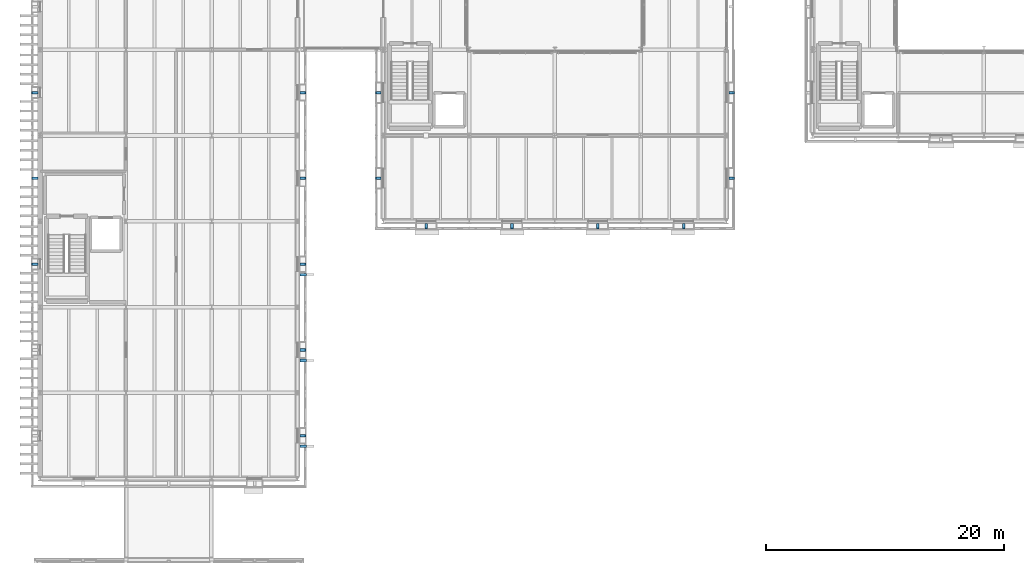
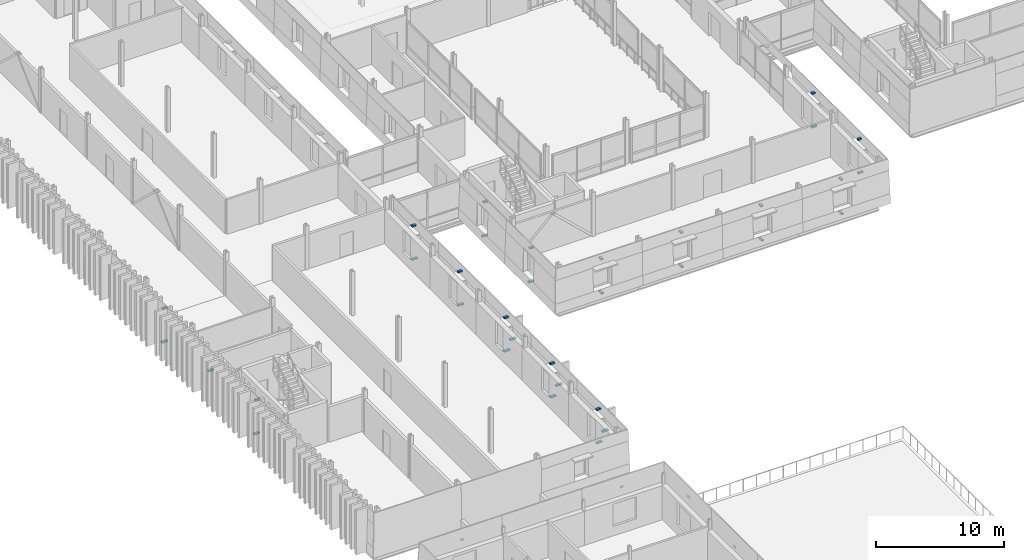
# One storey, part 80 of 115: 34 discrete accessories.
"""IFC4 building model written with IfcOpenShell, lengths in metres."""

import ifcopenshell
import ifcopenshell.guid

model = None  # the IFC model being written
_history = None  # IfcOwnerHistory: only IFC2X3 demands one
_inside = {}  # id of a spatial element -> (the spatial element, [elements in it])
_under = {}  # id of a project, library or spatial element -> (it, [spatial elements below it])
_declared = {}  # id of a project -> (the project, [libraries it declares])
_typed = {}  # id of a type object -> (the type object, [elements of that type])
_made_of = {}  # id of a material, layer set ... -> (it, [elements and type objects made of it])


def new_model(schema):
    """Start an empty IFC model of exactly this schema.

    Asked for "IFC4X3", IfcOpenShell would pick the latest addendum, in which some entities
    have other attributes; the version numbers below select the first issue.
    IFC2X3 requires an IfcOwnerHistory on every rooted entity: one is made here for all.
    """
    global model, _history
    if schema == "IFC4X3":
        model = ifcopenshell.file(schema_version=(4, 3, 0, 0))
    else:
        model = ifcopenshell.file(schema=schema)
    _inside.clear()
    _under.clear()
    _declared.clear()
    _typed.clear()
    _made_of.clear()
    _history = None
    if model.schema == "IFC2X3":
        org = make("IfcOrganization", Name="unknown")
        user = make(
            "IfcPersonAndOrganization",
            ThePerson=make("IfcPerson", FamilyName="unknown"),
            TheOrganization=org,
        )
        app = make(
            "IfcApplication",
            ApplicationDeveloper=org,
            Version="unknown",
            ApplicationFullName="unknown",
            ApplicationIdentifier="unknown",
        )
        _history = make(
            "IfcOwnerHistory",
            OwningUser=user,
            OwningApplication=app,
            ChangeAction="ADDED",
            CreationDate=0,
        )
    return model


def make(cls, **values):
    """One entity of the class cls with the attributes given. An attribute that is None is left unset."""
    return model.create_entity(
        cls, **{name: value for name, value in values.items() if value is not None}
    )


def rooted(cls, **values):
    """An entity with a GlobalId (a new one), such as an element, a storey or a relation."""
    return make(cls, GlobalId=ifcopenshell.guid.new(), OwnerHistory=_history, **values)


def si_unit(unit_type, name, prefix=None):
    """IfcSIUnit, for example si_unit("LENGTHUNIT", "METRE", prefix="MILLI")."""
    return make("IfcSIUnit", UnitType=unit_type, Prefix=prefix, Name=name)


def assignment(units):
    """IfcUnitAssignment: the units of a project."""
    return None if units is None else make("IfcUnitAssignment", Units=units)


def point(xyz):
    """IfcCartesianPoint."""
    return None if xyz is None else make("IfcCartesianPoint", Coordinates=xyz)


def direction(xyz):
    """IfcDirection."""
    return None if xyz is None else make("IfcDirection", DirectionRatios=xyz)


def frame(location, z_axis=None, x_axis=None):
    """IfcAxis2Placement3D, a coordinate frame: its origin and axes. An axis left out is left unset."""
    return make(
        "IfcAxis2Placement3D",
        Location=point(location),
        Axis=direction(z_axis),
        RefDirection=direction(x_axis),
    )


def frame_2d(location, x_axis=None):
    """IfcAxis2Placement2D, a coordinate frame in the plane: its origin and x axis."""
    return make(
        "IfcAxis2Placement2D", Location=point(location), RefDirection=direction(x_axis)
    )


def origin():
    """The frame at (0, 0, 0) with its axes left unset."""
    return frame((0.0, 0.0, 0.0))


def origin_2d():
    """The frame at (0, 0) in the plane with its x axis left unset."""
    return frame_2d((0.0, 0.0))


def place(relative_to, where):
    """IfcLocalPlacement: puts the frame where relative to a parent placement (None: the world)."""
    return make(
        "IfcLocalPlacement", PlacementRelTo=relative_to, RelativePlacement=where
    )


def context(
    kind, dimensions, precision=None, world=None, true_north=None, identifier=None
):
    """IfcGeometricRepresentationContext, for example the 3D "Model" context."""
    return make(
        "IfcGeometricRepresentationContext",
        ContextIdentifier=identifier,
        ContextType=kind,
        CoordinateSpaceDimension=dimensions,
        Precision=precision,
        WorldCoordinateSystem=world,
        TrueNorth=true_north,
    )


def subcontext(parent, identifier, kind, view, scale=None):
    """IfcGeometricRepresentationSubContext, for example "Body" below "Model"."""
    return make(
        "IfcGeometricRepresentationSubContext",
        ContextIdentifier=identifier,
        ContextType=kind,
        ParentContext=parent,
        TargetScale=scale,
        TargetView=view,
    )


def project(units=None, contexts=None):
    """IfcProject with its units and contexts."""
    return rooted(
        "IfcProject",
        Name="project",
        RepresentationContexts=contexts,
        UnitsInContext=assignment(units),
    )


def spatial(cls, under=None, at=None, **own):
    """A site, building, storey or space (cls), placed at a placement, below another one or the project."""
    s = rooted(cls, ObjectPlacement=at, **own)
    if under is not None:
        _under.setdefault(under.id(), (under, []))[1].append(s)
    return s


def profile(cls, at=None, kind="AREA", **sizes):
    """A parametric profile (cls). Its sizes go by their IFC names, for example OverallWidth=200.0."""
    return make(cls, ProfileType=kind, Position=at, **sizes)


def rectangle(**sizes):
    """IfcRectangleProfileDef."""
    return profile("IfcRectangleProfileDef", **sizes)


def extrude(swept, where, along, depth):
    """IfcExtrudedAreaSolid: the profile swept, set in the frame where, extruded along a direction by depth."""
    return make(
        "IfcExtrudedAreaSolid",
        SweptArea=swept,
        Position=where,
        ExtrudedDirection=direction(along),
        Depth=depth,
    )


def shape(context_of_items, identifier, shape_type, items):
    """IfcShapeRepresentation: the items that make up one representation, for example the "Body"."""
    return make(
        "IfcShapeRepresentation",
        ContextOfItems=context_of_items,
        RepresentationIdentifier=identifier,
        RepresentationType=shape_type,
        Items=items,
    )


def material(Name=None, Category=None):
    """IfcMaterial."""
    return make("IfcMaterial", Name=Name, Category=Category)


def layer(
    of_material, thickness, ventilated=None, Name=None, Category=None, Priority=None
):
    """IfcMaterialLayer: one layer of a wall or slab, of a material (None: an air gap)."""
    return make(
        "IfcMaterialLayer",
        Material=of_material,
        LayerThickness=thickness,
        IsVentilated=ventilated,
        Name=Name,
        Category=Category,
        Priority=Priority,
    )


def layer_set(layers, Name=None):
    """IfcMaterialLayerSet."""
    return make("IfcMaterialLayerSet", MaterialLayers=layers, LayerSetName=Name)


def made_of(thing, what):
    """Note that an element or type object is made of a material, layer set ...; save() writes the relation."""
    if what is not None:
        _made_of.setdefault(what.id(), (what, []))[1].append(thing)
    return thing


def type_object(cls, material=None, **own):
    """A type object (cls), such as IfcWallType, which elements share."""
    return made_of(rooted(cls, **own), material)


def element(
    cls,
    number,
    at=None,
    inside=None,
    cuts=None,
    type_object=None,
    material=None,
    context=None,
    identifier="Body",
    shape_type=None,
    held_by="IfcProductDefinitionShape",
    body=None,
    shapes=None,
    **own,
):
    """One element of the class cls, such as IfcWall. Its Tag is "e" and its number.

    at: its placement. inside: the storey or other place that contains it. cuts: it is an
    opening in that element (IfcRelVoidsElement). A single representation is given by context,
    identifier, shape_type and body (its items); several are given by shapes. held_by: the class
    of the entity that holds the representations. save() writes the other relations.
    """
    e = rooted(cls, Tag="e%d" % number, ObjectPlacement=at, **own)
    if body is not None:
        shapes = [shape(context, identifier, shape_type, body)]
    if shapes is not None:
        e.Representation = make(held_by, Representations=shapes)
    if inside is not None:
        _inside.setdefault(inside.id(), (inside, []))[1].append(e)
    if cuts is not None:
        rooted(
            "IfcRelVoidsElement", RelatingBuildingElement=cuts, RelatedOpeningElement=e
        )
    if type_object is not None:
        _typed.setdefault(type_object.id(), (type_object, []))[1].append(e)
    return made_of(e, material)


def aggregate(whole, parts):
    """IfcRelAggregates: a whole, such as a stair, and the parts it consists of."""
    return rooted("IfcRelAggregates", RelatingObject=whole, RelatedObjects=parts)


def save(model, path):
    """Write the relations noted so far, then the file.

    IfcRelAggregates (storeys below a building ...), IfcRelContainedInSpatialStructure (elements
    in a storey), IfcRelDefinesByType, IfcRelAssociatesMaterial and IfcRelDeclares: one each for
    every whole, place, type object, material and project.
    """
    for whole, parts in _under.values():
        aggregate(whole, parts)
    for where, things in _inside.values():
        rooted(
            "IfcRelContainedInSpatialStructure",
            RelatedElements=things,
            RelatingStructure=where,
        )
    for kind, things in _typed.values():
        rooted("IfcRelDefinesByType", RelatedObjects=things, RelatingType=kind)
    for what, things in _made_of.values():
        rooted("IfcRelAssociatesMaterial", RelatedObjects=things, RelatingMaterial=what)
    for by, libraries in _declared.values():
        rooted("IfcRelDeclares", RelatingContext=by, RelatedDefinitions=libraries)
    model.write(path)


model = new_model("IFC4")

# Units and contexts
model_context = context("Model", 3, precision=1e-05, world=origin(), true_north=direction((0.0, 1.0)))
body_context = subcontext(model_context, "Body", "Model", "MODEL_VIEW")
ifc_project = project(units=[si_unit("LENGTHUNIT", "METRE"), si_unit("AREAUNIT", "SQUARE_METRE"), si_unit("VOLUMEUNIT", "CUBIC_METRE"), si_unit("PLANEANGLEUNIT", "RADIAN"), si_unit("MASSUNIT", "GRAM", prefix="KILO")], contexts=[model_context])

# Site, building, storey
site_placement = place(None, origin())
site = spatial("IfcSite", under=ifc_project, at=site_placement, CompositionType="ELEMENT")
building_placement = place(site_placement, origin())
building = spatial("IfcBuilding", under=site, at=building_placement, Name="Narikvali Park Central Library", CompositionType="ELEMENT")
storey_placement = place(building_placement, frame((0.0, 0.0, 10.199951171875)))
storey = spatial("IfcBuildingStorey", under=building, at=storey_placement, Name="L02", CompositionType="ELEMENT", Elevation=10.199951171875)

# Discrete accessories
ifc_material = material(Name="Brushed Stainless Steel S355", Category="steel")
ifc_layer = layer(ifc_material, 0.139892578125, Name="Brushed Stainless Steel S355")
ifc_layer_set = layer_set([ifc_layer], Name="Brushed Stainless Steel S355")
discrete_accessory_type = type_object("IfcDiscreteAccessoryType", Name="Cladding Stainless Tie-Back Corbel Bracket", PredefinedType="BRACKET", material=ifc_layer_set)
discrete_accessory_1_placement = place(storey_placement, frame((32.39990234375, 49.974609375, 0.39013671875), z_axis=(0.0, 0.0, 1.0), x_axis=(1.0, 0.0, 0.0)))
element("IfcDiscreteAccessory", 1, at=discrete_accessory_1_placement, inside=storey, type_object=discrete_accessory_type, Name="Limestone Cladding Tie-Back Bracket V4-CLD-L02-S-B01-SP", PredefinedType="BRACKET", context=body_context, shape_type="SweptSolid", body=[
    extrude(rectangle(XDim=0.219970703125, YDim=0.470947265625, at=origin_2d()), origin(), (0.0, 0.0, 1.0), 0.139892578125),
])
discrete_accessory_2_placement = place(storey_placement, frame((32.39990234375, 50.0283203125, 3.59033203125), z_axis=(0.0, 0.0, 1.0), x_axis=(1.0, 0.0, 0.0)))
element("IfcDiscreteAccessory", 2, at=discrete_accessory_2_placement, inside=storey, type_object=discrete_accessory_type, Name="Limestone Cladding Tie-Back Bracket V4-CLD-L02-S-B01-LN", PredefinedType="BRACKET", context=body_context, shape_type="SweptSolid", body=[
    extrude(rectangle(XDim=0.219970703125, YDim=0.363037109375, at=origin_2d()), origin(), (0.0, 0.0, 1.0), 0.139892578125),
])
discrete_accessory_3_placement = place(storey_placement, frame((39.60009765625, 49.974609375, 0.39013671875), z_axis=(0.0, 0.0, 1.0), x_axis=(1.0, 0.0, 0.0)))
element("IfcDiscreteAccessory", 3, at=discrete_accessory_3_placement, inside=storey, type_object=discrete_accessory_type, Name="Limestone Cladding Tie-Back Bracket V4-CLD-L02-S-B02-SP", PredefinedType="BRACKET", context=body_context, shape_type="SweptSolid", body=[
    extrude(rectangle(XDim=0.219970703125, YDim=0.470947265625, at=origin_2d()), origin(), (0.0, 0.0, 1.0), 0.139892578125),
])
discrete_accessory_4_placement = place(storey_placement, frame((39.60009765625, 50.0283203125, 3.59033203125), z_axis=(0.0, 0.0, 1.0), x_axis=(1.0, 0.0, 0.0)))
element("IfcDiscreteAccessory", 4, at=discrete_accessory_4_placement, inside=storey, type_object=discrete_accessory_type, Name="Limestone Cladding Tie-Back Bracket V4-CLD-L02-S-B02-LN", PredefinedType="BRACKET", context=body_context, shape_type="SweptSolid", body=[
    extrude(rectangle(XDim=0.219970703125, YDim=0.363037109375, at=origin_2d()), origin(), (0.0, 0.0, 1.0), 0.139892578125),
])
discrete_accessory_5_placement = place(storey_placement, frame((46.800048828125, 49.974609375, 0.39013671875), z_axis=(0.0, 0.0, 1.0), x_axis=(1.0, 0.0, 0.0)))
element("IfcDiscreteAccessory", 5, at=discrete_accessory_5_placement, inside=storey, type_object=discrete_accessory_type, Name="Limestone Cladding Tie-Back Bracket V4-CLD-L02-S-B03-SP", PredefinedType="BRACKET", context=body_context, shape_type="SweptSolid", body=[
    extrude(rectangle(XDim=0.219970703125, YDim=0.470947265625, at=origin_2d()), origin(), (0.0, 0.0, 1.0), 0.139892578125),
])
discrete_accessory_6_placement = place(storey_placement, frame((46.800048828125, 50.0283203125, 3.59033203125), z_axis=(0.0, 0.0, 1.0), x_axis=(1.0, 0.0, 0.0)))
element("IfcDiscreteAccessory", 6, at=discrete_accessory_6_placement, inside=storey, type_object=discrete_accessory_type, Name="Limestone Cladding Tie-Back Bracket V4-CLD-L02-S-B03-LN", PredefinedType="BRACKET", context=body_context, shape_type="SweptSolid", body=[
    extrude(rectangle(XDim=0.219970703125, YDim=0.363037109375, at=origin_2d()), origin(), (0.0, 0.0, 1.0), 0.139892578125),
])
discrete_accessory_7_placement = place(storey_placement, frame((54.0, 49.974609375, 0.39013671875), z_axis=(0.0, 0.0, 1.0), x_axis=(1.0, 0.0, 0.0)))
element("IfcDiscreteAccessory", 7, at=discrete_accessory_7_placement, inside=storey, type_object=discrete_accessory_type, Name="Limestone Cladding Tie-Back Bracket V4-CLD-L02-S-B04-SP", PredefinedType="BRACKET", context=body_context, shape_type="SweptSolid", body=[
    extrude(rectangle(XDim=0.219970703125, YDim=0.470947265625, at=origin_2d()), origin(), (0.0, 0.0, 1.0), 0.139892578125),
])
discrete_accessory_8_placement = place(storey_placement, frame((54.0, 50.0283203125, 3.59033203125), z_axis=(0.0, 0.0, 1.0), x_axis=(1.0, 0.0, 0.0)))
element("IfcDiscreteAccessory", 8, at=discrete_accessory_8_placement, inside=storey, type_object=discrete_accessory_type, Name="Limestone Cladding Tie-Back Bracket V4-CLD-L02-S-B04-LN", PredefinedType="BRACKET", context=body_context, shape_type="SweptSolid", body=[
    extrude(rectangle(XDim=0.219970703125, YDim=0.363037109375, at=origin_2d()), origin(), (0.0, 0.0, 1.0), 0.139892578125),
])
discrete_accessory_9_placement = place(storey_placement, frame((58.025390625, 54.0, 0.39013671875), z_axis=(0.0, 0.0, 1.0), x_axis=(1.0, 0.0, 0.0)))
element("IfcDiscreteAccessory", 9, at=discrete_accessory_9_placement, inside=storey, type_object=discrete_accessory_type, Name="Limestone Cladding Tie-Back Bracket V4-CLD-L02-E-B01-SP", PredefinedType="BRACKET", context=body_context, shape_type="SweptSolid", body=[
    extrude(rectangle(XDim=0.470947265625, YDim=0.219970703125, at=origin_2d()), origin(), (0.0, 0.0, 1.0), 0.139892578125),
])
discrete_accessory_10_placement = place(storey_placement, frame((57.9716796875, 54.0, 3.59033203125), z_axis=(0.0, 0.0, 1.0), x_axis=(1.0, 0.0, 0.0)))
element("IfcDiscreteAccessory", 10, at=discrete_accessory_10_placement, inside=storey, type_object=discrete_accessory_type, Name="Limestone Cladding Tie-Back Bracket V4-CLD-L02-E-B01-LN", PredefinedType="BRACKET", context=body_context, shape_type="SweptSolid", body=[
    extrude(rectangle(XDim=0.363037109375, YDim=0.219970703125, at=origin_2d()), origin(), (0.0, 0.0, 1.0), 0.139892578125),
])
discrete_accessory_11_placement = place(storey_placement, frame((58.025390625, 61.199951171875, 0.39013671875), z_axis=(0.0, 0.0, 1.0), x_axis=(1.0, 0.0, 0.0)))
element("IfcDiscreteAccessory", 11, at=discrete_accessory_11_placement, inside=storey, type_object=discrete_accessory_type, Name="Limestone Cladding Tie-Back Bracket V4-CLD-L02-E-B02-SP", PredefinedType="BRACKET", context=body_context, shape_type="SweptSolid", body=[
    extrude(rectangle(XDim=0.470947265625, YDim=0.219970703125, at=origin_2d()), origin(), (0.0, 0.0, 1.0), 0.139892578125),
])
discrete_accessory_12_placement = place(storey_placement, frame((57.9716796875, 61.199951171875, 3.59033203125), z_axis=(0.0, 0.0, 1.0), x_axis=(1.0, 0.0, 0.0)))
element("IfcDiscreteAccessory", 12, at=discrete_accessory_12_placement, inside=storey, type_object=discrete_accessory_type, Name="Limestone Cladding Tie-Back Bracket V4-CLD-L02-E-B02-LN", PredefinedType="BRACKET", context=body_context, shape_type="SweptSolid", body=[
    extrude(rectangle(XDim=0.363037109375, YDim=0.219970703125, at=origin_2d()), origin(), (0.0, 0.0, 1.0), 0.139892578125),
])
discrete_accessory_13_placement = place(storey_placement, frame((28.37451171875, 61.199951171875, 0.39013671875), z_axis=(0.0, 0.0, 1.0), x_axis=(1.0, 0.0, 0.0)))
element("IfcDiscreteAccessory", 13, at=discrete_accessory_13_placement, inside=storey, type_object=discrete_accessory_type, Name="Limestone Cladding Tie-Back Bracket V4-CLD-L02-W-B08-SP", PredefinedType="BRACKET", context=body_context, shape_type="SweptSolid", body=[
    extrude(rectangle(XDim=0.470947265625, YDim=0.219970703125, at=origin_2d()), origin(), (0.0, 0.0, 1.0), 0.139892578125),
])
discrete_accessory_14_placement = place(storey_placement, frame((28.428466796875, 61.199951171875, 3.59033203125), z_axis=(0.0, 0.0, 1.0), x_axis=(1.0, 0.0, 0.0)))
element("IfcDiscreteAccessory", 14, at=discrete_accessory_14_placement, inside=storey, type_object=discrete_accessory_type, Name="Limestone Cladding Tie-Back Bracket V4-CLD-L02-W-B08-LN", PredefinedType="BRACKET", context=body_context, shape_type="SweptSolid", body=[
    extrude(rectangle(XDim=0.363037109375, YDim=0.219970703125, at=origin_2d()), origin(), (0.0, 0.0, 1.0), 0.139892578125),
])
discrete_accessory_15_placement = place(storey_placement, frame((28.37451171875, 54.0, 0.39013671875), z_axis=(0.0, 0.0, 1.0), x_axis=(1.0, 0.0, 0.0)))
element("IfcDiscreteAccessory", 15, at=discrete_accessory_15_placement, inside=storey, type_object=discrete_accessory_type, Name="Limestone Cladding Tie-Back Bracket V4-CLD-L02-W-B09-SP", PredefinedType="BRACKET", context=body_context, shape_type="SweptSolid", body=[
    extrude(rectangle(XDim=0.470947265625, YDim=0.219970703125, at=origin_2d()), origin(), (0.0, 0.0, 1.0), 0.139892578125),
])
discrete_accessory_16_placement = place(storey_placement, frame((28.428466796875, 54.0, 3.59033203125), z_axis=(0.0, 0.0, 1.0), x_axis=(1.0, 0.0, 0.0)))
element("IfcDiscreteAccessory", 16, at=discrete_accessory_16_placement, inside=storey, type_object=discrete_accessory_type, Name="Limestone Cladding Tie-Back Bracket V4-CLD-L02-W-B09-LN", PredefinedType="BRACKET", context=body_context, shape_type="SweptSolid", body=[
    extrude(rectangle(XDim=0.363037109375, YDim=0.219970703125, at=origin_2d()), origin(), (0.0, 0.0, 1.0), 0.139892578125),
])
discrete_accessory_17_placement = place(storey_placement, frame((22.0537109375, 32.39990234375, 0.4052734375), z_axis=(0.0, 0.0, 1.0), x_axis=(1.0, 0.0, 0.0)))
element("IfcDiscreteAccessory", 17, at=discrete_accessory_17_placement, inside=storey, type_object=discrete_accessory_type, Name="Limestone Cladding Tie-Back Bracket V5-CLD-L02-E-B01-SP", PredefinedType="BRACKET", context=body_context, shape_type="SweptSolid", body=[
    extrude(rectangle(XDim=0.527099609375, YDim=0.219970703125, at=origin_2d()), origin(), (0.0, 0.0, 1.0), 0.139892578125),
])
discrete_accessory_18_placement = place(storey_placement, frame((22.008544921875, 32.39990234375, 3.580078125), z_axis=(0.0, 0.0, 1.0), x_axis=(1.0, 0.0, 0.0)))
element("IfcDiscreteAccessory", 18, at=discrete_accessory_18_placement, inside=storey, type_object=discrete_accessory_type, Name="Limestone Cladding Tie-Back Bracket V5-CLD-L02-E-B01-LN", PredefinedType="BRACKET", context=body_context, shape_type="SweptSolid", body=[
    extrude(rectangle(XDim=0.43701171875, YDim=0.219970703125, at=origin_2d()), origin(), (0.0, 0.0, 1.0), 0.139892578125),
])
discrete_accessory_19_placement = place(storey_placement, frame((22.0537109375, 39.60009765625, 0.4052734375), z_axis=(0.0, 0.0, 1.0), x_axis=(1.0, 0.0, 0.0)))
element("IfcDiscreteAccessory", 19, at=discrete_accessory_19_placement, inside=storey, type_object=discrete_accessory_type, Name="Limestone Cladding Tie-Back Bracket V5-CLD-L02-E-B02-SP", PredefinedType="BRACKET", context=body_context, shape_type="SweptSolid", body=[
    extrude(rectangle(XDim=0.527099609375, YDim=0.219970703125, at=origin_2d()), origin(), (0.0, 0.0, 1.0), 0.139892578125),
])
discrete_accessory_20_placement = place(storey_placement, frame((22.008544921875, 39.60009765625, 3.580078125), z_axis=(0.0, 0.0, 1.0), x_axis=(1.0, 0.0, 0.0)))
element("IfcDiscreteAccessory", 20, at=discrete_accessory_20_placement, inside=storey, type_object=discrete_accessory_type, Name="Limestone Cladding Tie-Back Bracket V5-CLD-L02-E-B02-LN", PredefinedType="BRACKET", context=body_context, shape_type="SweptSolid", body=[
    extrude(rectangle(XDim=0.43701171875, YDim=0.219970703125, at=origin_2d()), origin(), (0.0, 0.0, 1.0), 0.139892578125),
])
discrete_accessory_21_placement = place(storey_placement, frame((22.0537109375, 46.800048828125, 0.4052734375), z_axis=(0.0, 0.0, 1.0), x_axis=(1.0, 0.0, 0.0)))
element("IfcDiscreteAccessory", 21, at=discrete_accessory_21_placement, inside=storey, type_object=discrete_accessory_type, Name="Limestone Cladding Tie-Back Bracket V5-CLD-L02-E-B03-SP", PredefinedType="BRACKET", context=body_context, shape_type="SweptSolid", body=[
    extrude(rectangle(XDim=0.527099609375, YDim=0.219970703125, at=origin_2d()), origin(), (0.0, 0.0, 1.0), 0.139892578125),
])
discrete_accessory_22_placement = place(storey_placement, frame((22.008544921875, 46.800048828125, 3.580078125), z_axis=(0.0, 0.0, 1.0), x_axis=(1.0, 0.0, 0.0)))
element("IfcDiscreteAccessory", 22, at=discrete_accessory_22_placement, inside=storey, type_object=discrete_accessory_type, Name="Limestone Cladding Tie-Back Bracket V5-CLD-L02-E-B03-LN", PredefinedType="BRACKET", context=body_context, shape_type="SweptSolid", body=[
    extrude(rectangle(XDim=0.43701171875, YDim=0.219970703125, at=origin_2d()), origin(), (0.0, 0.0, 1.0), 0.139892578125),
])
discrete_accessory_23_placement = place(storey_placement, frame((22.0537109375, 54.0, 0.4052734375), z_axis=(0.0, 0.0, 1.0), x_axis=(1.0, 0.0, 0.0)))
element("IfcDiscreteAccessory", 23, at=discrete_accessory_23_placement, inside=storey, type_object=discrete_accessory_type, Name="Limestone Cladding Tie-Back Bracket V5-CLD-L02-E-B04-SP", PredefinedType="BRACKET", context=body_context, shape_type="SweptSolid", body=[
    extrude(rectangle(XDim=0.527099609375, YDim=0.219970703125, at=origin_2d()), origin(), (0.0, 0.0, 1.0), 0.139892578125),
])
discrete_accessory_24_placement = place(storey_placement, frame((22.008544921875, 54.0, 3.580078125), z_axis=(0.0, 0.0, 1.0), x_axis=(1.0, 0.0, 0.0)))
element("IfcDiscreteAccessory", 24, at=discrete_accessory_24_placement, inside=storey, type_object=discrete_accessory_type, Name="Limestone Cladding Tie-Back Bracket V5-CLD-L02-E-B04-LN", PredefinedType="BRACKET", context=body_context, shape_type="SweptSolid", body=[
    extrude(rectangle(XDim=0.43701171875, YDim=0.219970703125, at=origin_2d()), origin(), (0.0, 0.0, 1.0), 0.139892578125),
])
discrete_accessory_25_placement = place(storey_placement, frame((22.0537109375, 61.199951171875, 0.4052734375), z_axis=(0.0, 0.0, 1.0), x_axis=(1.0, 0.0, 0.0)))
element("IfcDiscreteAccessory", 25, at=discrete_accessory_25_placement, inside=storey, type_object=discrete_accessory_type, Name="Limestone Cladding Tie-Back Bracket V5-CLD-L02-E-B05-SP", PredefinedType="BRACKET", context=body_context, shape_type="SweptSolid", body=[
    extrude(rectangle(XDim=0.527099609375, YDim=0.219970703125, at=origin_2d()), origin(), (0.0, 0.0, 1.0), 0.139892578125),
])
discrete_accessory_26_placement = place(storey_placement, frame((22.008544921875, 61.199951171875, 3.580078125), z_axis=(0.0, 0.0, 1.0), x_axis=(1.0, 0.0, 0.0)))
element("IfcDiscreteAccessory", 26, at=discrete_accessory_26_placement, inside=storey, type_object=discrete_accessory_type, Name="Limestone Cladding Tie-Back Bracket V5-CLD-L02-E-B05-LN", PredefinedType="BRACKET", context=body_context, shape_type="SweptSolid", body=[
    extrude(rectangle(XDim=0.43701171875, YDim=0.219970703125, at=origin_2d()), origin(), (0.0, 0.0, 1.0), 0.139892578125),
])
discrete_accessory_27_placement = place(storey_placement, frame((-0.45361328125, 61.199951171875, 0.4052734375), z_axis=(0.0, 0.0, 1.0), x_axis=(1.0, 0.0, 0.0)))
element("IfcDiscreteAccessory", 27, at=discrete_accessory_27_placement, inside=storey, type_object=discrete_accessory_type, Name="Limestone Cladding Tie-Back Bracket V5-CLD-L02-W-B07-SP", PredefinedType="BRACKET", context=body_context, shape_type="SweptSolid", body=[
    extrude(rectangle(XDim=0.527099609375, YDim=0.219970703125, at=origin_2d()), origin(), (0.0, 0.0, 1.0), 0.139892578125),
])
discrete_accessory_28_placement = place(storey_placement, frame((-0.408447265625, 61.199951171875, 3.580078125), z_axis=(0.0, 0.0, 1.0), x_axis=(1.0, 0.0, 0.0)))
element("IfcDiscreteAccessory", 28, at=discrete_accessory_28_placement, inside=storey, type_object=discrete_accessory_type, Name="Limestone Cladding Tie-Back Bracket V5-CLD-L02-W-B07-LN", PredefinedType="BRACKET", context=body_context, shape_type="SweptSolid", body=[
    extrude(rectangle(XDim=0.43701171875, YDim=0.219970703125, at=origin_2d()), origin(), (0.0, 0.0, 1.0), 0.139892578125),
])
discrete_accessory_29_placement = place(storey_placement, frame((-0.430419921875, 54.0, 2.0302734375), z_axis=(0.0, 0.0, 1.0), x_axis=(1.0, 0.0, 0.0)))
element("IfcDiscreteAccessory", 29, at=discrete_accessory_29_placement, inside=storey, type_object=discrete_accessory_type, Name="Limestone Cladding Tie-Back Bracket V5-CLD-L02-W-B08-FULL", PredefinedType="BRACKET", context=body_context, shape_type="SweptSolid", body=[
    extrude(rectangle(XDim=0.48095703125, YDim=0.219970703125, at=origin_2d()), origin(), (0.0, 0.0, 1.0), 0.139892578125),
])
discrete_accessory_30_placement = place(storey_placement, frame((-0.45361328125, 46.800048828125, 0.4052734375), z_axis=(0.0, 0.0, 1.0), x_axis=(1.0, 0.0, 0.0)))
element("IfcDiscreteAccessory", 30, at=discrete_accessory_30_placement, inside=storey, type_object=discrete_accessory_type, Name="Limestone Cladding Tie-Back Bracket V5-CLD-L02-W-B09-SP", PredefinedType="BRACKET", context=body_context, shape_type="SweptSolid", body=[
    extrude(rectangle(XDim=0.527099609375, YDim=0.219970703125, at=origin_2d()), origin(), (0.0, 0.0, 1.0), 0.139892578125),
])
discrete_accessory_31_placement = place(storey_placement, frame((-0.408447265625, 46.800048828125, 3.580078125), z_axis=(0.0, 0.0, 1.0), x_axis=(1.0, 0.0, 0.0)))
element("IfcDiscreteAccessory", 31, at=discrete_accessory_31_placement, inside=storey, type_object=discrete_accessory_type, Name="Limestone Cladding Tie-Back Bracket V5-CLD-L02-W-B09-LN", PredefinedType="BRACKET", context=body_context, shape_type="SweptSolid", body=[
    extrude(rectangle(XDim=0.43701171875, YDim=0.219970703125, at=origin_2d()), origin(), (0.0, 0.0, 1.0), 0.139892578125),
])
for number, where, z_axis, x_axis, name in (
    (32, (22.081298828125, 31.52001953125, 2.0302734375), (0.0, 0.0, 1.0), (1.0, 0.0, 0.0), "Sun Louver Tie-Back Fixing Bracket 003"),
    (33, (22.081298828125, 38.719970703125, 2.0302734375), (0.0, 0.0, 1.0), (1.0, 0.0, 0.0), "Sun Louver Tie-Back Fixing Bracket 007"),
    (34, (22.081298828125, 45.919921875, 2.0302734375), (0.0, 0.0, 1.0), (1.0, 0.0, 0.0), "Sun Louver Tie-Back Fixing Bracket 011"),
):
    element("IfcDiscreteAccessory", number, at=place(storey_placement, frame(where, z_axis=z_axis, x_axis=x_axis)), inside=storey, type_object=discrete_accessory_type, Name=name, PredefinedType="BRACKET", context=body_context, shape_type="SweptSolid", body=[
        extrude(rectangle(XDim=0.5625, YDim=0.219970703125, at=origin_2d()), origin(), (0.0, 0.0, 1.0), 0.139892578125),
    ])

save(model, "model.ifc")
